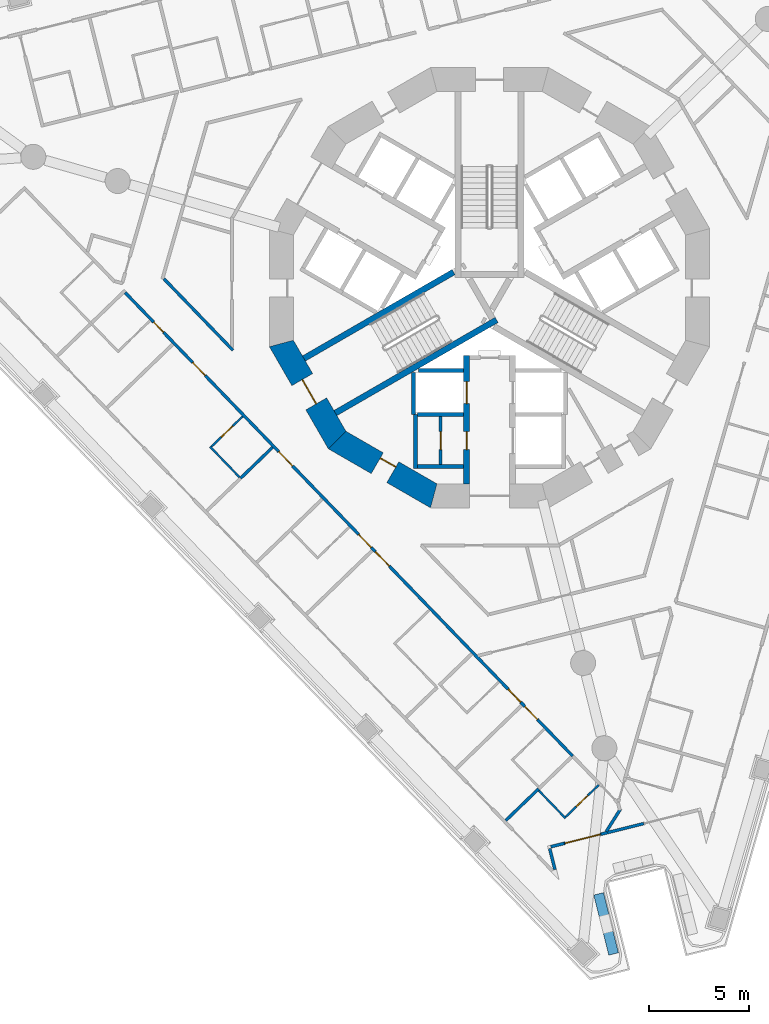
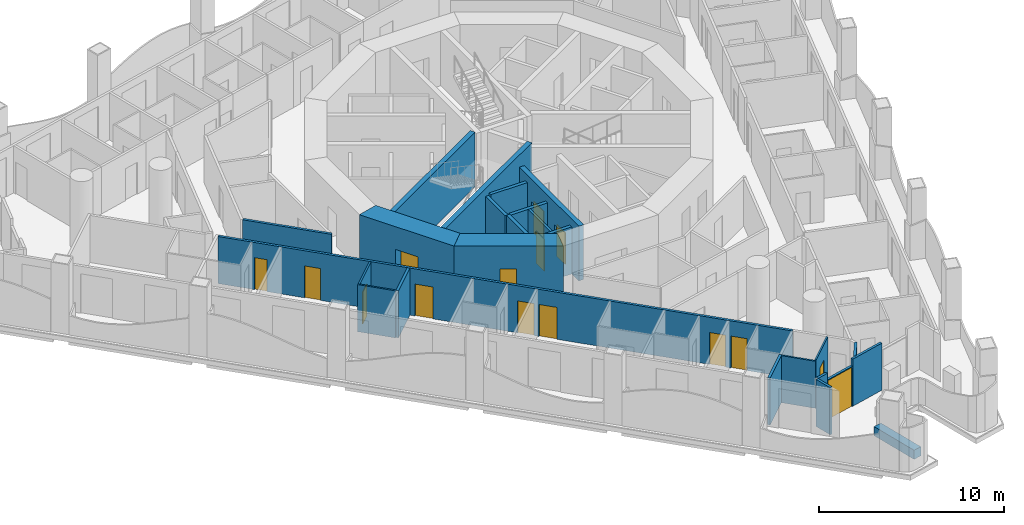
# One storey, part 3 of 20: 25 walls, 15 doors, 15 openings.
"""IFC4 building model written with IfcOpenShell, lengths in metres."""

from ifc_helpers import new_model, si_unit, direction, frame, frame_2d, origin, place, context, subcontext, project, spatial, polyline, rectangle, outline, extrude, material, layer, layer_set, type_object, element, fill, save


model = new_model("IFC4")

# Units and contexts
model_context = context("Model", 3, precision=1e-05, world=origin(), true_north=direction((0.0, 1.0)))
body_context = subcontext(model_context, "Body", "Model", "MODEL_VIEW")
ifc_project = project(units=[si_unit("LENGTHUNIT", "METRE"), si_unit("AREAUNIT", "SQUARE_METRE"), si_unit("VOLUMEUNIT", "CUBIC_METRE"), si_unit("PLANEANGLEUNIT", "RADIAN"), si_unit("MASSUNIT", "GRAM", prefix="KILO")], contexts=[model_context])

# Site, building, storey
site_placement = place(None, origin())
site = spatial("IfcSite", under=ifc_project, at=site_placement, CompositionType="ELEMENT")
building_placement = place(site_placement, origin())
building = spatial("IfcBuilding", under=site, at=building_placement, Name="Trine Commons Tower", CompositionType="ELEMENT")
storey_placement = place(building_placement, frame((0.0, 0.0, 116.10009765625)))
storey = spatial("IfcBuildingStorey", under=building, at=storey_placement, Name="L29", CompositionType="ELEMENT", Elevation=116.10009765625)

# Wall, opening, door
ifc_material_1 = material(Name="Plasterboard partition on steel studs", Category="steel")
ifc_layer_1 = layer(ifc_material_1, 0.14990234375)
ifc_layer_set_1 = layer_set([ifc_layer_1], Name="Plasterboard partition on steel studs")
wall_type_1 = type_object("IfcWallType", Name="Core room partition 150 mm, EI 60", PredefinedType="PARTITIONING", material=ifc_layer_set_1)
wall_1_placement = place(storey_placement, frame((77.550048828125, 56.050048828125, 0.0), z_axis=(0.0, 0.0, 1.0), x_axis=(0.0, -1.0, 0.0)))
wall_1 = element("IfcWall", 1, at=wall_1_placement, inside=storey, type_object=wall_type_1, Name="Core room partition L29", PredefinedType="PARTITIONING", context=body_context, shape_type="SweptSolid", body=[
    extrude(rectangle(XDim=2.400146484375, YDim=0.14990234375, at=frame_2d((1.2001953125, 0.0))), origin(), (0.0, 0.0, 1.0), 3.099853515625),
])
opening_1_placement = place(wall_1_placement, frame((0.75, 0.0, 0.0)))
opening_1 = element("IfcOpeningElement", 2, at=opening_1_placement, cuts=wall_1, Name="Opening K04.11", PredefinedType="OPENING", context=body_context, shape_type="SweptSolid", body=[
    extrude(rectangle(XDim=0.89990234375, YDim=2.10009765625, at=frame_2d((0.449951171875, 1.050048828125))), frame((0.0, 0.0849609375, 0.0), z_axis=(0.0, -1.0, 0.0), x_axis=(1.0, 0.0, 0.0)), (0.0, 0.0, 1.0), 0.169921875),
])
ifc_material_2 = material(Name="Steel door leaf, fire-rated", Category="steel")
door_type_1 = type_object("IfcDoorType", Name="Core room door, single leaf 900 x 2100, FD30S", OperationType="SINGLE_SWING_LEFT", PredefinedType="DOOR", material=ifc_material_2)
door_1_placement = place(opening_1_placement, frame((0.89990234375, 0.0, 0.0), z_axis=(0.0, 0.0, 1.0), x_axis=(-1.0, 0.0, 0.0)))
door_1 = element("IfcDoor", 3, at=door_1_placement, inside=storey, type_object=door_type_1, Name="Door to Parcel store L29", OperationType="SINGLE_SWING_LEFT", OverallHeight=2.10009765625, OverallWidth=0.89990234375, PredefinedType="DOOR", context=body_context, shape_type="SweptSolid", body=[
    extrude(rectangle(XDim=0.89990234375, YDim=2.10009765625, at=frame_2d((0.449951171875, 1.050048828125))), frame((0.0, 0.02490234375, 0.0), z_axis=(0.0, -1.0, 0.0), x_axis=(1.0, 0.0, 0.0)), (0.0, 0.0, 1.0), 0.050048828125),
])
fill(opening_1, door_1)

# Wall
ifc_material_3 = material(Name="Aluminium-framed insulated wall panel", Category="aluminium")
ifc_layer_2 = layer(ifc_material_3, 0.14990234375)
ifc_layer_set_2 = layer_set([ifc_layer_2], Name="Aluminium-framed insulated wall panel")
wall_type_2 = type_object("IfcWallType", Name="Glazed frame wall 150, EI 60", PredefinedType="SOLIDWALL", material=ifc_layer_set_2)
wall_2_placement = place(storey_placement, frame((87.71337890625, 35.697021484375, 0.0), z_axis=(0.0, 0.0, 1.0), x_axis=(-0.970298957625, -0.241908934998, 0.0)))
element("IfcWall", 4, at=wall_2_placement, inside=storey, type_object=wall_type_2, Name="Glazed frame wall P3.3", PredefinedType="SOLIDWALL", context=body_context, shape_type="SweptSolid", body=[
    extrude(outline(polyline([(0.0, -0.074951171875), (2.199951171875, -0.074951171875), (2.199951171875, 0.074951171875), (0.0, 0.074951171875), (0.0, -0.074951171875)])), origin(), (0.0, 0.0, 1.0), 3.099853515625),
])

# Wall, opening, door
wall_3_placement = place(storey_placement, frame((85.57861328125, 35.164794921875, 0.0), z_axis=(0.0, 0.0, 1.0), x_axis=(-0.970285945114, -0.241961122321, 0.0)))
wall_3 = element("IfcWall", 5, at=wall_3_placement, inside=storey, type_object=wall_type_2, Name="Glazed frame wall P3.4", PredefinedType="SOLIDWALL", context=body_context, shape_type="SweptSolid", body=[
    extrude(outline(polyline([(0.0, -0.074951171875), (1.89990234375, -0.074951171875), (1.89990234375, 0.074951171875), (0.0, 0.074951171875), (0.0, -0.074951171875)])), origin(), (0.0, 0.0, 1.0), 2.64990234375),
])
opening_2_placement = place(wall_3_placement, frame((0.050048828125, 0.0, 0.0)))
opening_2 = element("IfcOpeningElement", 6, at=opening_2_placement, cuts=wall_3, Name="Opening BD-3P3-02", PredefinedType="OPENING", context=body_context, shape_type="SweptSolid", body=[
    extrude(rectangle(XDim=1.800048828125, YDim=2.60009765625, at=frame_2d((0.89990234375, 1.300048828125))), frame((0.0, 0.0849609375, 0.0), z_axis=(0.0, -1.0, 0.0), x_axis=(1.0, 0.0, 0.0)), (0.0, 0.0, 1.0), 0.169921875),
])
ifc_material_4 = material(Name="Anodised aluminium frame with double glazing", Category="aluminium")
door_type_2 = type_object("IfcDoorType", Name="Sliding loggia door 1800x2600", OperationType="SLIDING_TO_LEFT", PredefinedType="DOOR", material=ifc_material_4)
door_2_placement = place(opening_2_placement, origin())
door_2 = element("IfcDoor", 7, at=door_2_placement, inside=storey, type_object=door_type_2, Name="Loggia door P3 2", OperationType="SLIDING_TO_LEFT", OverallHeight=2.60009765625, OverallWidth=1.800048828125, PredefinedType="DOOR", context=body_context, shape_type="SweptSolid", body=[
    extrude(rectangle(XDim=1.800048828125, YDim=2.60009765625, at=frame_2d((0.89990234375, 1.300048828125))), frame((0.0, 0.02490234375, 0.0), z_axis=(0.0, -1.0, 0.0), x_axis=(1.0, 0.0, 0.0)), (0.0, 0.0, 1.0), 0.050048828125),
])
fill(opening_2, door_2)

# Walls
wall_4_placement = place(storey_placement, frame((83.735107421875, 34.705078125, 0.0), z_axis=(0.0, 0.0, 1.0), x_axis=(-0.970339682992, -0.241745526559, 0.0)))
element("IfcWall", 8, at=wall_4_placement, inside=storey, type_object=wall_type_2, Name="Glazed frame wall P3.5", PredefinedType="SOLIDWALL", context=body_context, shape_type="SweptSolid", body=[
    extrude(outline(polyline([(0.68994140625, 0.074951171875), (0.0, 0.074951171875), (0.0, -0.074951171875), (0.68994140625, -0.074951171875), (0.68994140625, 0.074951171875)])), origin(), (0.0, 0.0, 1.0), 3.099853515625),
])
wall_5_placement = place(storey_placement, frame((82.984375, 34.553955078125, 0.0), z_axis=(0.0, 0.0, 1.0), x_axis=(0.241980315181, -0.970281158771, 0.0)))
element("IfcWall", 9, at=wall_5_placement, inside=storey, type_object=wall_type_2, Name="Glazed frame wall R11", PredefinedType="SOLIDWALL", context=body_context, shape_type="SweptSolid", body=[
    extrude(outline(polyline([(0.110107421875, 0.074951171875), (0.110107421875, -0.074951171875), (1.19580078125, -0.074951171875), (1.19580078125, 0.074951171875), (0.110107421875, 0.074951171875)])), origin(), (0.0, 0.0, 1.0), 3.099853515625),
])
ifc_material_5 = material(Name="Planter trough, precast concrete C40/50", Category="concrete")
ifc_layer_3 = layer(ifc_material_5, 0.5)
ifc_layer_set_3 = layer_set([ifc_layer_3], Name="Planter trough, precast concrete C40/50")
wall_type_3 = type_object("IfcWallType", Name="Planter trough 500x600", PredefinedType="PARAPET", material=ifc_layer_set_3)
wall_6_placement = place(storey_placement, frame((85.456787109375, 32.181640625, 0.0), z_axis=(0.0, 0.0, 1.0), x_axis=(0.2419425832, -0.970290568044, 0.0)))
element("IfcWall", 10, at=wall_6_placement, inside=storey, type_object=wall_type_3, Name="Planter 9", PredefinedType="PARAPET", context=body_context, shape_type="SweptSolid", body=[
    extrude(rectangle(XDim=3.099853515625, YDim=0.5, at=frame_2d((1.5498046875, 0.0))), origin(), (0.0, 0.0, 1.0), 0.599853515625),
])

# Wall, opening, door
ifc_material_6 = material(Name="Concrete C70/85", Category="concrete")
ifc_layer_4 = layer(ifc_material_6, 1.199951171875)
ifc_layer_set_4 = layer_set([ifc_layer_4], Name="Concrete C70/85")
wall_type_4 = type_object("IfcWallType", Name="RC shear wall 1200 mm, C70/85", PredefinedType="SHEAR", material=ifc_layer_set_4)
wall_7_placement = place(storey_placement, frame((69.508056640625, 59.849609375, 0.0), z_axis=(0.0, 0.0, 1.0), x_axis=(0.499979111662, -0.866037463336, 0.0)))
wall_7 = element("IfcWall", 11, at=wall_7_placement, inside=storey, type_object=wall_type_4, Name="Core wall CWC-08 L29", PredefinedType="SHEAR", context=body_context, shape_type="SweptSolid", body=[
    extrude(outline(polyline([(0.0, -0.60009765625), (5.901123046875, -0.60009765625), (5.57958984375, 0.60009765625), (0.321533203125, 0.60009765625), (0.0, -0.60009765625)])), origin(), (0.0, 0.0, 1.0), 3.599853515625),
])
opening_3_placement = place(wall_7_placement, frame((2.25048828125, 0.0, 0.0)))
opening_3 = element("IfcOpeningElement", 12, at=opening_3_placement, cuts=wall_7, Name="Opening K04.02", PredefinedType="OPENING", context=body_context, shape_type="SweptSolid", body=[
    extrude(rectangle(XDim=1.39990234375, YDim=2.10009765625, at=frame_2d((0.699951171875, 1.050048828125))), frame((0.0, 0.60986328125, 0.0), z_axis=(0.0, -1.0, 0.0), x_axis=(1.0, 0.0, 0.0)), (0.0, 0.0, 1.0), 1.219970703125),
])
ifc_material_7 = material(Name="Steel door leaves, fire-rated", Category="steel")
door_type_3 = type_object("IfcDoorType", Name="Stair door, double leaf 1400 x 2100, FD90", OperationType="DOUBLE_DOOR_SINGLE_SWING", PredefinedType="DOOR", material=ifc_material_7)
door_3_placement = place(opening_3_placement, origin())
door_3 = element("IfcDoor", 13, at=door_3_placement, inside=storey, type_object=door_type_3, Name="Stair door to Exit stair ST2A L29", OperationType="DOUBLE_DOOR_SINGLE_SWING", OverallHeight=2.10009765625, OverallWidth=1.39990234375, PredefinedType="DOOR", context=body_context, shape_type="SweptSolid", body=[
    extrude(rectangle(XDim=1.39990234375, YDim=2.10009765625, at=frame_2d((0.699951171875, 1.050048828125))), frame((0.0, 0.02490234375, 0.0), z_axis=(0.0, -1.0, 0.0), x_axis=(1.0, 0.0, 0.0)), (0.0, 0.0, 1.0), 0.050048828125),
])
fill(opening_3, door_3)

wall_8_placement = place(storey_placement, frame((72.239013671875, 54.95849609375, 0.0), z_axis=(0.0, 0.0, 1.0), x_axis=(0.866037463336, -0.499979111662, 0.0)))
wall_8 = element("IfcWall", 14, at=wall_8_placement, inside=storey, type_object=wall_type_4, Name="Core wall CWC-09 L29", PredefinedType="SHEAR", context=body_context, shape_type="SweptSolid", body=[
    extrude(outline(polyline([(0.0, -0.60009765625), (5.901123046875, -0.60009765625), (5.57958984375, 0.60009765625), (0.321533203125, 0.60009765625), (0.0, -0.60009765625)])), origin(), (0.0, 0.0, 1.0), 3.599853515625),
])
opening_4_placement = place(wall_8_placement, frame((2.4765625, 0.0, 0.0)))
opening_4 = element("IfcOpeningElement", 15, at=opening_4_placement, cuts=wall_8, Name="Opening K04.15", PredefinedType="OPENING", context=body_context, shape_type="SweptSolid", body=[
    extrude(rectangle(XDim=0.89990234375, YDim=2.10009765625, at=frame_2d((0.449951171875, 1.050048828125))), frame((0.0, 0.60986328125, 0.0), z_axis=(0.0, -1.0, 0.0), x_axis=(1.0, 0.0, 0.0)), (0.0, 0.0, 1.0), 1.219970703125),
])
door_4_placement = place(opening_4_placement, origin())
door_4 = element("IfcDoor", 16, at=door_4_placement, inside=storey, type_object=door_type_1, Name="Door to Cleaner's store L29", OperationType="SINGLE_SWING_LEFT", OverallHeight=2.10009765625, OverallWidth=0.89990234375, PredefinedType="DOOR", context=body_context, shape_type="SweptSolid", body=[
    extrude(rectangle(XDim=0.89990234375, YDim=2.10009765625, at=frame_2d((0.449951171875, 1.050048828125))), frame((0.0, 0.3251953125, 0.0), z_axis=(0.0, -1.0, 0.0), x_axis=(1.0, 0.0, 0.0)), (0.0, 0.0, 1.0), 0.050048828125),
])
fill(opening_4, door_4)

# Wall, openings, doors
ifc_layer_5 = layer(ifc_material_6, 0.300048828125)
ifc_layer_set_5 = layer_set([ifc_layer_5], Name="Concrete C70/85")
wall_type_5 = type_object("IfcWallType", Name="RC shear wall 300 mm, C70/85", PredefinedType="SHEAR", material=ifc_layer_set_5)
wall_9_placement = place(storey_placement, frame((78.85009765625, 59.10009765625, 0.0), z_axis=(0.0, 0.0, 1.0), x_axis=(0.0, -1.0, 0.0)))
wall_9 = element("IfcWall", 17, at=wall_9_placement, inside=storey, type_object=wall_type_5, Name="Core cross wall SWA-03 L29", PredefinedType="SHEAR", context=body_context, shape_type="SweptSolid", body=[
    extrude(rectangle(XDim=6.412109375, YDim=0.300048828125, at=frame_2d((3.2060546875, 0.0))), origin(), (0.0, 0.0, 1.0), 3.599853515625),
])
opening_5_placement = place(wall_9_placement, frame((3.800048828125, 0.0, 0.0)))
opening_5 = element("IfcOpeningElement", 18, at=opening_5_placement, cuts=wall_9, Name="Opening K04.10", PredefinedType="OPENING", context=body_context, shape_type="SweptSolid", body=[
    extrude(rectangle(XDim=0.89990234375, YDim=2.10009765625, at=frame_2d((0.449951171875, 1.050048828125))), frame((0.0, 0.159912109375, 0.0), z_axis=(0.0, -1.0, 0.0), x_axis=(1.0, 0.0, 0.0)), (0.0, 0.0, 1.0), 0.320068359375),
])
opening_6_placement = place(wall_9_placement, frame((1.300048828125, 0.0, 0.0)))
opening_6 = element("IfcOpeningElement", 19, at=opening_6_placement, cuts=wall_9, Name="Opening LD10", PredefinedType="OPENING", context=body_context, shape_type="SweptSolid", body=[
    extrude(rectangle(XDim=1.10009765625, YDim=2.10009765625, at=frame_2d((0.550048828125, 1.050048828125))), frame((0.0, 0.159912109375, 0.0), z_axis=(0.0, -1.0, 0.0), x_axis=(1.0, 0.0, 0.0)), (0.0, 0.0, 1.0), 0.320068359375),
])
door_5_placement = place(opening_5_placement, frame((0.89990234375, 0.0, 0.0), z_axis=(0.0, 0.0, 1.0), x_axis=(-1.0, 0.0, 0.0)))
door_5 = element("IfcDoor", 20, at=door_5_placement, inside=storey, type_object=door_type_1, Name="Door to Comms room L29", OperationType="SINGLE_SWING_RIGHT", OverallHeight=2.10009765625, OverallWidth=0.89990234375, PredefinedType="DOOR", context=body_context, shape_type="SweptSolid", body=[
    extrude(rectangle(XDim=0.89990234375, YDim=2.10009765625, at=frame_2d((0.449951171875, 1.050048828125))), frame((0.0, 0.02490234375, 0.0), z_axis=(0.0, -1.0, 0.0), x_axis=(1.0, 0.0, 0.0)), (0.0, 0.0, 1.0), 0.050048828125),
])
fill(opening_5, door_5)
ifc_material_8 = material(Name="Stainless steel sliding door leaves", Category="steel")
door_type_4 = type_object("IfcDoorType", Name="Lift landing door, centre-opening sliding 1100 x 2100, FD90", OperationType="DOUBLE_DOOR_SLIDING", PredefinedType="DOOR", material=ifc_material_8)
door_6_placement = place(opening_6_placement, origin())
door_6 = element("IfcDoor", 21, at=door_6_placement, inside=storey, type_object=door_type_4, Name="Lift landing door FF2 L29", OperationType="DOUBLE_DOOR_SLIDING", OverallHeight=2.10009765625, OverallWidth=1.10009765625, PredefinedType="DOOR", context=body_context, shape_type="SweptSolid", body=[
    extrude(rectangle(XDim=1.10009765625, YDim=2.10009765625, at=frame_2d((0.550048828125, 1.050048828125))), frame((0.0, 0.02490234375, 0.0), z_axis=(0.0, -1.0, 0.0), x_axis=(1.0, 0.0, 0.0)), (0.0, 0.0, 1.0), 0.050048828125),
])
fill(opening_6, door_6)

# Walls
wall_10_placement = place(storey_placement, frame((78.199951171875, 63.280029296875, 0.0), z_axis=(0.0, 0.0, 1.0), x_axis=(-0.865965399159, -0.500103916661, 0.0)))
element("IfcWall", 22, at=wall_10_placement, inside=storey, type_object=wall_type_5, Name="Core cross wall SWA-07 L29", PredefinedType="SHEAR", context=body_context, shape_type="SweptSolid", body=[
    extrude(rectangle(XDim=8.642333984375, YDim=0.300048828125, at=frame_2d((4.3212890625, 0.0))), origin(), (0.0, 0.0, 1.0), 3.599853515625),
])
wall_11_placement = place(storey_placement, frame((80.35400390625, 60.885986328125, 0.0), z_axis=(0.0, 0.0, 1.0), x_axis=(-0.865986456211, -0.50006745311, 0.0)))
element("IfcWall", 23, at=wall_11_placement, inside=storey, type_object=wall_type_5, Name="Core cross wall SWA-14 L29", PredefinedType="SHEAR", context=body_context, shape_type="SweptSolid", body=[
    extrude(rectangle(XDim=9.310791015625, YDim=0.300048828125, at=frame_2d((4.6552734375, 0.0))), origin(), (0.0, 0.0, 1.0), 3.599853515625),
])
ifc_material_9 = material(Name="Fire-rated gypsum shaft wall system")
ifc_layer_6 = layer(ifc_material_9, 0.199951171875)
ifc_layer_set_6 = layer_set([ifc_layer_6], Name="Fire-rated gypsum shaft wall system")
wall_type_6 = type_object("IfcWallType", Name="Shaft wall 200 mm, EI 120", PredefinedType="PARTITIONING", material=ifc_layer_set_6)
wall_12_placement = place(storey_placement, frame((76.199951171875, 58.256103515625, 0.0), z_axis=(0.0, 0.0, 1.0), x_axis=(0.0, -1.0, 0.0)))
element("IfcWall", 24, at=wall_12_placement, inside=storey, type_object=wall_type_6, Name="Shaft wall L29", PredefinedType="PARTITIONING", context=body_context, shape_type="SweptSolid", body=[
    extrude(rectangle(XDim=2.106201171875, YDim=0.199951171875, at=frame_2d((1.05322265625, 0.0))), origin(), (0.0, 0.0, 1.0), 3.099853515625),
])
wall_13_placement = place(storey_placement, frame((76.300048828125, 56.14990234375, 0.0), z_axis=(0.0, 0.0, 1.0), x_axis=(0.0, -1.0, 0.0)))
element("IfcWall", 25, at=wall_13_placement, inside=storey, type_object=wall_type_6, Name="Shaft wall L29", PredefinedType="PARTITIONING", context=body_context, shape_type="SweptSolid", body=[
    extrude(rectangle(XDim=2.699951171875, YDim=0.199951171875, at=frame_2d((1.35009765625, 0.0))), origin(), (0.0, 0.0, 1.0), 3.099853515625),
])
for number, where, z_axis, x_axis, name in (
    (26, (78.699951171875, 53.550048828125, 0.0), (0.0, 0.0, 1.0), (-1.0, 0.0, 0.0), "Shaft wall L29"),
    (27, (78.699951171875, 56.14990234375, 0.0), (0.0, 0.0, 1.0), (-1.0, 0.0, 0.0), "Shaft wall L29"),
):
    element("IfcWall", number, at=place(storey_placement, frame(where, z_axis=z_axis, x_axis=x_axis)), inside=storey, type_object=wall_type_6, Name=name, PredefinedType="PARTITIONING", context=body_context, shape_type="SweptSolid", body=[
        extrude(rectangle(XDim=2.300048828125, YDim=0.199951171875, at=frame_2d((1.14990234375, 0.0))), origin(), (0.0, 0.0, 1.0), 3.099853515625),
    ])
wall_14_placement = place(storey_placement, frame((78.699951171875, 58.35009765625, 0.0), z_axis=(0.0, 0.0, 1.0), x_axis=(-1.0, 0.0, 0.0)))
element("IfcWall", 28, at=wall_14_placement, inside=storey, type_object=wall_type_6, Name="Shaft wall L29", PredefinedType="PARTITIONING", context=body_context, shape_type="SweptSolid", body=[
    extrude(rectangle(XDim=2.264892578125, YDim=0.199951171875, at=frame_2d((1.13232421875, 0.0))), origin(), (0.0, 0.0, 1.0), 3.099853515625),
])

# Wall, openings, doors
ifc_material_10 = material(Name="Gypsum plasterboard on steel stud", Category="steel")
ifc_layer_7 = layer(ifc_material_10, 0.14990234375)
ifc_layer_set_7 = layer_set([ifc_layer_7], Name="Gypsum plasterboard on steel stud")
wall_type_7 = type_object("IfcWallType", Name="Unit and corridor wall 150 mm, EI 60", PredefinedType="PARTITIONING", material=ifc_layer_set_7)
wall_15_placement = place(storey_placement, frame((61.772216796875, 62.257080078125, 0.0), z_axis=(0.0, 0.0, 1.0), x_axis=(0.694641026806, -0.719356548506, 0.0)))
wall_15 = element("IfcWall", 29, at=wall_15_placement, inside=storey, type_object=wall_type_7, Name="Partition 018", PredefinedType="PARTITIONING", context=body_context, shape_type="SweptSolid", body=[
    extrude(rectangle(XDim=32.22216796875, YDim=0.14990234375, at=frame_2d((16.111083984375, 0.0))), origin(), (0.0, 0.0, 1.0), 3.099853515625),
])
opening_7_placement = place(wall_15_placement, frame((28.784423828125, 0.0, 0.0)))
opening_7 = element("IfcOpeningElement", 30, at=opening_7_placement, cuts=wall_15, Name="Opening D-3C26", PredefinedType="OPENING", context=body_context, shape_type="SweptSolid", body=[
    extrude(rectangle(XDim=0.89990234375, YDim=2.10009765625, at=frame_2d((0.449951171875, 1.050048828125))), frame((0.0, 0.0849609375, 0.0), z_axis=(0.0, -1.0, 0.0), x_axis=(1.0, 0.0, 0.0)), (0.0, 0.0, 1.0), 0.169921875),
])
opening_8_placement = place(wall_15_placement, frame((27.58447265625, 0.0, 0.0)))
opening_8 = element("IfcOpeningElement", 31, at=opening_8_placement, cuts=wall_15, Name="Opening D-3C27", PredefinedType="OPENING", context=body_context, shape_type="SweptSolid", body=[
    extrude(rectangle(XDim=0.89990234375, YDim=2.10009765625, at=frame_2d((0.449951171875, 1.050048828125))), frame((0.0, 0.0849609375, 0.0), z_axis=(0.0, -1.0, 0.0), x_axis=(1.0, 0.0, 0.0)), (0.0, 0.0, 1.0), 0.169921875),
])
opening_9_placement = place(wall_15_placement, frame((18.019287109375, 0.0, 0.0)))
opening_9 = element("IfcOpeningElement", 32, at=opening_9_placement, cuts=wall_15, Name="Opening D-3C28", PredefinedType="OPENING", context=body_context, shape_type="SweptSolid", body=[
    extrude(rectangle(XDim=1.0, YDim=2.10009765625, at=frame_2d((0.5, 1.050048828125))), frame((0.0, 0.0849609375, 0.0), z_axis=(0.0, -1.0, 0.0), x_axis=(1.0, 0.0, 0.0)), (0.0, 0.0, 1.0), 0.169921875),
])
opening_10_placement = place(wall_15_placement, frame((16.819091796875, 0.0, 0.0)))
opening_10 = element("IfcOpeningElement", 33, at=opening_10_placement, cuts=wall_15, Name="Opening D-3C29", PredefinedType="OPENING", context=body_context, shape_type="SweptSolid", body=[
    extrude(rectangle(XDim=0.89990234375, YDim=2.10009765625, at=frame_2d((0.449951171875, 1.050048828125))), frame((0.0, 0.0849609375, 0.0), z_axis=(0.0, -1.0, 0.0), x_axis=(1.0, 0.0, 0.0)), (0.0, 0.0, 1.0), 0.169921875),
])
opening_11_placement = place(wall_15_placement, frame((11.05810546875, 0.0, 0.0)))
opening_11 = element("IfcOpeningElement", 34, at=opening_11_placement, cuts=wall_15, Name="Opening D-3C30", PredefinedType="OPENING", context=body_context, shape_type="SweptSolid", body=[
    extrude(rectangle(XDim=1.0, YDim=2.10009765625, at=frame_2d((0.5, 1.050048828125))), frame((0.0, 0.0849609375, 0.0), z_axis=(0.0, -1.0, 0.0), x_axis=(1.0, 0.0, 0.0)), (0.0, 0.0, 1.0), 0.169921875),
])
opening_12_placement = place(wall_15_placement, frame((4.864990234375, 0.0, 0.0)))
opening_12 = element("IfcOpeningElement", 35, at=opening_12_placement, cuts=wall_15, Name="Opening D-3C31", PredefinedType="OPENING", context=body_context, shape_type="SweptSolid", body=[
    extrude(rectangle(XDim=0.89990234375, YDim=2.10009765625, at=frame_2d((0.449951171875, 1.050048828125))), frame((0.0, 0.0849609375, 0.0), z_axis=(0.0, -1.0, 0.0), x_axis=(1.0, 0.0, 0.0)), (0.0, 0.0, 1.0), 0.169921875),
])
opening_13_placement = place(wall_15_placement, frame((2.056396484375, 0.0, 0.0)))
opening_13 = element("IfcOpeningElement", 36, at=opening_13_placement, cuts=wall_15, Name="Opening D-3C32", PredefinedType="OPENING", context=body_context, shape_type="SweptSolid", body=[
    extrude(rectangle(XDim=0.699951171875, YDim=2.10009765625, at=frame_2d((0.35009765625, 1.050048828125))), frame((0.0, 0.0849609375, 0.0), z_axis=(0.0, -1.0, 0.0), x_axis=(1.0, 0.0, 0.0)), (0.0, 0.0, 1.0), 0.169921875),
])
ifc_material_11 = material(Name="Timber fire door set", Category="wood")
door_type_5 = type_object("IfcDoorType", Name="Bedroom door 1000 x 2100, FD30S", OperationType="NOTDEFINED", PredefinedType="DOOR", material=ifc_material_11)
door_7_placement = place(opening_9_placement, frame((1.0, 0.0, 0.0), z_axis=(0.0, 0.0, 1.0), x_axis=(-1.0, 0.0, 0.0)))
door_7 = element("IfcDoor", 37, at=door_7_placement, inside=storey, type_object=door_type_5, Name="Door D-3C28", OperationType="SINGLE_SWING_LEFT", OverallHeight=2.10009765625, OverallWidth=1.0, PredefinedType="DOOR", context=body_context, shape_type="SweptSolid", body=[
    extrude(rectangle(XDim=1.0, YDim=2.10009765625, at=frame_2d((0.5, 1.050048828125))), frame((0.0, 0.02490234375, 0.0), z_axis=(0.0, -1.0, 0.0), x_axis=(1.0, 0.0, 0.0)), (0.0, 0.0, 1.0), 0.050048828125),
])
fill(opening_9, door_7)
door_type_6 = type_object("IfcDoorType", Name="Bedroom door 700 x 2100, FD30S", OperationType="NOTDEFINED", PredefinedType="DOOR", material=ifc_material_11)
door_8_placement = place(opening_13_placement, frame((0.699951171875, 0.0, 0.0), z_axis=(0.0, 0.0, 1.0), x_axis=(-1.0, 0.0, 0.0)))
door_8 = element("IfcDoor", 38, at=door_8_placement, inside=storey, type_object=door_type_6, Name="Door D-3C32", OperationType="SINGLE_SWING_RIGHT", OverallHeight=2.10009765625, OverallWidth=0.699951171875, PredefinedType="DOOR", context=body_context, shape_type="SweptSolid", body=[
    extrude(rectangle(XDim=0.699951171875, YDim=2.10009765625, at=frame_2d((0.35009765625, 1.050048828125))), frame((0.0, 0.02490234375, 0.0), z_axis=(0.0, -1.0, 0.0), x_axis=(1.0, 0.0, 0.0)), (0.0, 0.0, 1.0), 0.050048828125),
])
fill(opening_13, door_8)
door_type_7 = type_object("IfcDoorType", Name="Bedroom door 900 x 2100, FD30S", OperationType="NOTDEFINED", PredefinedType="DOOR", material=ifc_material_11)
door_9_placement = place(opening_7_placement, frame((0.89990234375, 0.0, 0.0), z_axis=(0.0, 0.0, 1.0), x_axis=(-1.0, 0.0, 0.0)))
door_9 = element("IfcDoor", 39, at=door_9_placement, inside=storey, type_object=door_type_7, Name="Door D-3C26", OperationType="SINGLE_SWING_LEFT", OverallHeight=2.10009765625, OverallWidth=0.89990234375, PredefinedType="DOOR", context=body_context, shape_type="SweptSolid", body=[
    extrude(rectangle(XDim=0.89990234375, YDim=2.10009765625, at=frame_2d((0.449951171875, 1.050048828125))), frame((0.0, 0.02490234375, 0.0), z_axis=(0.0, -1.0, 0.0), x_axis=(1.0, 0.0, 0.0)), (0.0, 0.0, 1.0), 0.050048828125),
])
fill(opening_7, door_9)
door_10_placement = place(opening_8_placement, frame((0.89990234375, 0.0, 0.0), z_axis=(0.0, 0.0, 1.0), x_axis=(-1.0, 0.0, 0.0)))
door_10 = element("IfcDoor", 40, at=door_10_placement, inside=storey, type_object=door_type_7, Name="Door D-3C27", OperationType="SINGLE_SWING_LEFT", OverallHeight=2.10009765625, OverallWidth=0.89990234375, PredefinedType="DOOR", context=body_context, shape_type="SweptSolid", body=[
    extrude(rectangle(XDim=0.89990234375, YDim=2.10009765625, at=frame_2d((0.449951171875, 1.050048828125))), frame((0.0, 0.02490234375, 0.0), z_axis=(0.0, -1.0, 0.0), x_axis=(1.0, 0.0, 0.0)), (0.0, 0.0, 1.0), 0.050048828125),
])
fill(opening_8, door_10)
door_11_placement = place(opening_10_placement, frame((0.89990234375, 0.0, 0.0), z_axis=(0.0, 0.0, 1.0), x_axis=(-1.0, 0.0, 0.0)))
door_11 = element("IfcDoor", 41, at=door_11_placement, inside=storey, type_object=door_type_7, Name="Door D-3C29", OperationType="SINGLE_SWING_LEFT", OverallHeight=2.10009765625, OverallWidth=0.89990234375, PredefinedType="DOOR", context=body_context, shape_type="SweptSolid", body=[
    extrude(rectangle(XDim=0.89990234375, YDim=2.10009765625, at=frame_2d((0.449951171875, 1.050048828125))), frame((0.0, 0.02490234375, 0.0), z_axis=(0.0, -1.0, 0.0), x_axis=(1.0, 0.0, 0.0)), (0.0, 0.0, 1.0), 0.050048828125),
])
fill(opening_10, door_11)
door_12_placement = place(opening_12_placement, frame((0.89990234375, 0.0, 0.0), z_axis=(0.0, 0.0, 1.0), x_axis=(-1.0, 0.0, 0.0)))
door_12 = element("IfcDoor", 42, at=door_12_placement, inside=storey, type_object=door_type_7, Name="Door D-3C31", OperationType="SINGLE_SWING_RIGHT", OverallHeight=2.10009765625, OverallWidth=0.89990234375, PredefinedType="DOOR", context=body_context, shape_type="SweptSolid", body=[
    extrude(rectangle(XDim=0.89990234375, YDim=2.10009765625, at=frame_2d((0.449951171875, 1.050048828125))), frame((0.0, 0.02490234375, 0.0), z_axis=(0.0, -1.0, 0.0), x_axis=(1.0, 0.0, 0.0)), (0.0, 0.0, 1.0), 0.050048828125),
])
fill(opening_12, door_12)
ifc_material_12 = material(Name="Painted timber", Category="wood")
door_type_8 = type_object("IfcDoorType", Name="Toilet door 1000 x 2100, NOT RATED", OperationType="NOTDEFINED", PredefinedType="DOOR", material=ifc_material_12)
door_13_placement = place(opening_11_placement, frame((1.0, 0.0, 0.0), z_axis=(0.0, 0.0, 1.0), x_axis=(-1.0, 0.0, 0.0)))
door_13 = element("IfcDoor", 43, at=door_13_placement, inside=storey, type_object=door_type_8, Name="Door D-3C30", OperationType="SINGLE_SWING_RIGHT", OverallHeight=2.10009765625, OverallWidth=1.0, PredefinedType="DOOR", context=body_context, shape_type="SweptSolid", body=[
    extrude(rectangle(XDim=1.0, YDim=2.10009765625, at=frame_2d((0.5, 1.050048828125))), frame((0.0, 0.02490234375, 0.0), z_axis=(0.0, -1.0, 0.0), x_axis=(1.0, 0.0, 0.0)), (0.0, 0.0, 1.0), 0.050048828125),
])
fill(opening_11, door_13)

# Walls
wall_16_placement = place(storey_placement, frame((63.710205078125, 62.948974609375, 0.0), z_axis=(0.0, 0.0, 1.0), x_axis=(0.694628677397, -0.719368473411, 0.0)))
element("IfcWall", 44, at=wall_16_placement, inside=storey, type_object=wall_type_7, Name="Partition 024", PredefinedType="PARTITIONING", context=body_context, shape_type="SweptSolid", body=[
    extrude(rectangle(XDim=4.9736328125, YDim=0.14990234375, at=frame_2d((2.48681640625, 0.0))), origin(), (0.0, 0.0, 1.0), 3.099853515625),
])
wall_17_placement = place(storey_placement, frame((67.54296875, 52.964111328125, 0.0), z_axis=(0.0, 0.0, 1.0), x_axis=(0.719159849229, 0.694844666998, 0.0)))
element("IfcWall", 45, at=wall_17_placement, inside=storey, type_object=wall_type_7, Name="Partition 039", PredefinedType="PARTITIONING", context=body_context, shape_type="SweptSolid", body=[
    extrude(rectangle(XDim=2.22900390625, YDim=0.14990234375, at=frame_2d((1.114501953125, 0.0))), origin(), (0.0, 0.0, 1.0), 3.099853515625),
])
wall_18_placement = place(storey_placement, frame((80.811767578125, 35.849853515625, 0.0), z_axis=(0.0, 0.0, 1.0), x_axis=(0.719587956046, 0.694401305812, 0.0)))
element("IfcWall", 46, at=wall_18_placement, inside=storey, type_object=wall_type_7, Name="Partition 071", PredefinedType="PARTITIONING", context=body_context, shape_type="SweptSolid", body=[
    extrude(rectangle(XDim=2.27783203125, YDim=0.14990234375, at=frame_2d((1.138916015625, 0.0))), origin(), (0.0, 0.0, 1.0), 3.099853515625),
])
wall_19_placement = place(storey_placement, frame((85.83447265625, 35.290771484375, 0.0), z_axis=(0.0, 0.0, 1.0), x_axis=(0.533700369754, 0.845673645873, 0.0)))
element("IfcWall", 47, at=wall_19_placement, inside=storey, type_object=wall_type_7, Name="Partition 092", PredefinedType="PARTITIONING", context=body_context, shape_type="SweptSolid", body=[
    extrude(rectangle(XDim=1.349853515625, YDim=0.14990234375, at=frame_2d((0.6748046875, 0.0))), origin(), (0.0, 0.0, 1.0), 3.099853515625),
])
ifc_layer_8 = layer(ifc_material_10, 0.10009765625)
ifc_layer_set_8 = layer_set([ifc_layer_8], Name="Gypsum plasterboard on steel stud")
wall_type_8 = type_object("IfcWallType", Name="Unit partition 100 mm, no rating", PredefinedType="PARTITIONING", material=ifc_layer_set_8)
wall_20_placement = place(storey_placement, frame((66.017333984375, 54.550048828125, 0.0), z_axis=(0.0, 0.0, 1.0), x_axis=(0.694414056616, -0.719575651321, 0.0)))
element("IfcWall", 48, at=wall_20_placement, inside=storey, type_object=wall_type_8, Name="Partition 032", PredefinedType="PARTITIONING", context=body_context, shape_type="SweptSolid", body=[
    extrude(rectangle(XDim=2.125, YDim=0.10009765625, at=frame_2d((1.0625, 0.0))), origin(), (0.0, 0.0, 1.0), 3.099853515625),
])

# Wall, opening, door
wall_21_placement = place(storey_placement, frame((66.087890625, 54.548583984375, 0.0), z_axis=(0.0, 0.0, 1.0), x_axis=(0.719405330095, 0.694590506004, 0.0)))
wall_21 = element("IfcWall", 49, at=wall_21_placement, inside=storey, type_object=wall_type_8, Name="Partition 033", PredefinedType="PARTITIONING", context=body_context, shape_type="SweptSolid", body=[
    extrude(rectangle(XDim=2.17431640625, YDim=0.10009765625, at=frame_2d((1.087158203125, 0.0))), origin(), (0.0, 0.0, 1.0), 3.099853515625),
])
opening_14_placement = place(wall_21_placement, frame((0.68701171875, 0.0, 0.0)))
opening_14 = element("IfcOpeningElement", 50, at=opening_14_placement, cuts=wall_21, Name="Opening D-3C65", PredefinedType="OPENING", context=body_context, shape_type="SweptSolid", body=[
    extrude(rectangle(XDim=0.800048828125, YDim=2.10009765625, at=frame_2d((0.39990234375, 1.050048828125))), frame((0.0, 0.06005859375, 0.0), z_axis=(0.0, -1.0, 0.0), x_axis=(1.0, 0.0, 0.0)), (0.0, 0.0, 1.0), 0.1201171875),
])
door_type_9 = type_object("IfcDoorType", Name="Internal door 800 x 2100, NOT RATED", OperationType="NOTDEFINED", PredefinedType="DOOR", material=ifc_material_12)
door_14_placement = place(opening_14_placement, origin())
door_14 = element("IfcDoor", 51, at=door_14_placement, inside=storey, type_object=door_type_9, Name="Door D-3C65", OperationType="SINGLE_SWING_LEFT", OverallHeight=2.10009765625, OverallWidth=0.800048828125, PredefinedType="DOOR", context=body_context, shape_type="SweptSolid", body=[
    extrude(rectangle(XDim=0.800048828125, YDim=2.10009765625, at=frame_2d((0.39990234375, 1.050048828125))), frame((0.0, 0.02490234375, 0.0), z_axis=(0.0, -1.0, 0.0), x_axis=(1.0, 0.0, 0.0)), (0.0, 0.0, 1.0), 0.050048828125),
])
fill(opening_14, door_14)

# Wall
wall_22_placement = place(storey_placement, frame((82.467041015625, 37.343017578125, 0.0), z_axis=(0.0, 0.0, 1.0), x_axis=(0.694438310909, -0.719552244345, 0.0)))
element("IfcWall", 52, at=wall_22_placement, inside=storey, type_object=wall_type_8, Name="Partition 078", PredefinedType="PARTITIONING", context=body_context, shape_type="SweptSolid", body=[
    extrude(rectangle(XDim=1.9248046875, YDim=0.10009765625, at=frame_2d((0.96240234375, 0.0))), origin(), (0.0, 0.0, 1.0), 3.099853515625),
])

# Wall, opening, door
wall_23_placement = place(storey_placement, frame((83.804931640625, 36.02880859375, 0.0), z_axis=(0.0, 0.0, 1.0), x_axis=(0.719443618251, 0.694550847784, 0.0)))
wall_23 = element("IfcWall", 53, at=wall_23_placement, inside=storey, type_object=wall_type_8, Name="Partition 083", PredefinedType="PARTITIONING", context=body_context, shape_type="SweptSolid", body=[
    extrude(rectangle(XDim=2.294921875, YDim=0.10009765625, at=frame_2d((1.1474609375, 0.0))), origin(), (0.0, 0.0, 1.0), 3.099853515625),
])
opening_15_placement = place(wall_23_placement, frame((0.74755859375, 0.0, 0.0)))
opening_15 = element("IfcOpeningElement", 54, at=opening_15_placement, cuts=wall_23, Name="Opening D-3C60", PredefinedType="OPENING", context=body_context, shape_type="SweptSolid", body=[
    extrude(rectangle(XDim=0.800048828125, YDim=2.10009765625, at=frame_2d((0.39990234375, 1.050048828125))), frame((0.0, 0.06005859375, 0.0), z_axis=(0.0, -1.0, 0.0), x_axis=(1.0, 0.0, 0.0)), (0.0, 0.0, 1.0), 0.1201171875),
])
door_15_placement = place(opening_15_placement, frame((0.800048828125, 0.0, 0.0), z_axis=(0.0, 0.0, 1.0), x_axis=(-1.0, 0.0, 0.0)))
door_15 = element("IfcDoor", 55, at=door_15_placement, inside=storey, type_object=door_type_9, Name="Door D-3C60", OperationType="SINGLE_SWING_RIGHT", OverallHeight=2.10009765625, OverallWidth=0.800048828125, PredefinedType="DOOR", context=body_context, shape_type="SweptSolid", body=[
    extrude(rectangle(XDim=0.800048828125, YDim=2.10009765625, at=frame_2d((0.39990234375, 1.050048828125))), frame((0.0, 0.02490234375, 0.0), z_axis=(0.0, -1.0, 0.0), x_axis=(1.0, 0.0, 0.0)), (0.0, 0.0, 1.0), 0.050048828125),
])
fill(opening_15, door_15)

save(model, "model.ifc")
